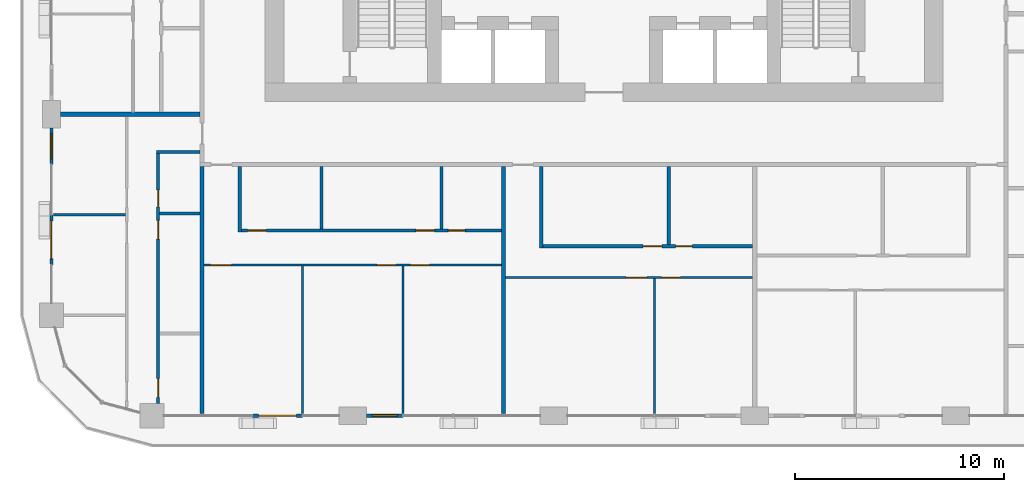
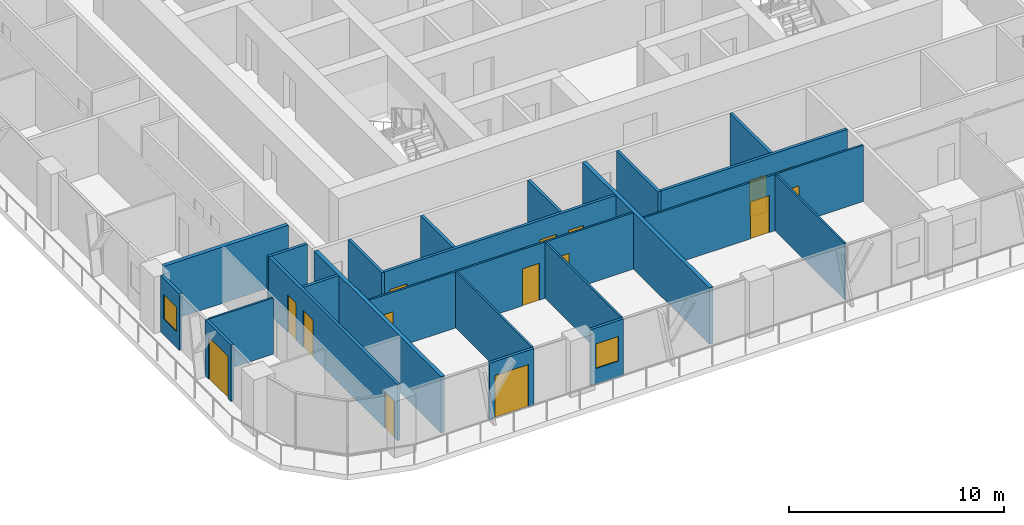
# One storey, part 9 of 22: 23 walls, 15 doors, 2 windows, 17 openings.
"""IFC4 building model written with IfcOpenShell, lengths in metres."""

from ifc_helpers import new_model, si_unit, direction, frame, frame_2d, origin, place, context, subcontext, project, spatial, rectangle, extrude, material, layer, layer_set, type_object, element, fill, save


model = new_model("IFC4")

# Units and contexts
model_context = context("Model", 3, precision=1e-05, world=origin(), true_north=direction((0.0, 1.0)))
body_context = subcontext(model_context, "Body", "Model", "MODEL_VIEW")
ifc_project = project(units=[si_unit("LENGTHUNIT", "METRE"), si_unit("AREAUNIT", "SQUARE_METRE"), si_unit("VOLUMEUNIT", "CUBIC_METRE"), si_unit("PLANEANGLEUNIT", "RADIAN"), si_unit("MASSUNIT", "GRAM", prefix="KILO")], contexts=[model_context])

# Site, building, storey
site_placement = place(None, origin())
site = spatial("IfcSite", under=ifc_project, at=site_placement, CompositionType="ELEMENT")
building_placement = place(site_placement, origin())
building = spatial("IfcBuilding", under=site, at=building_placement, Name="Madar Terraces", CompositionType="ELEMENT")
storey_placement = place(building_placement, frame((0.0, 0.0, 73.300048828125)))
storey = spatial("IfcBuildingStorey", under=building, at=storey_placement, Name="L18", CompositionType="ELEMENT", Elevation=73.300048828125)

# Wall, opening, door
ifc_material_1 = material(Name="Aluminium composite panel, black, over insulated backing", Category="aluminium")
ifc_layer_1 = layer(ifc_material_1, 0.14990234375)
ifc_layer_set_1 = layer_set([ifc_layer_1], Name="Facade bay panel 150")
wall_type_1 = type_object("IfcWallType", Name="Facade bay panel 150", PredefinedType="SOLIDWALL", material=ifc_layer_set_1)
wall_1_placement = place(storey_placement, frame((14.39990234375, 0.0, 0.0), z_axis=(0.0, 0.0, 1.0), x_axis=(1.0, 0.0, 0.0)))
wall_1 = element("IfcWall", 1, at=wall_1_placement, inside=storey, type_object=wall_type_1, Name="Facade bay panel", PredefinedType="SOLIDWALL", context=body_context, shape_type="SweptSolid", body=[
    extrude(rectangle(XDim=2.400146484375, YDim=0.14990234375, at=frame_2d((1.2001953125, 0.0))), origin(), (0.0, 0.0, 1.0), 3.199951171875),
])
opening_1_placement = place(wall_1_placement, frame((0.300048828125, 0.0, 0.0)))
opening_1 = element("IfcOpeningElement", 2, at=opening_1_placement, cuts=wall_1, Name="Opening ED1", PredefinedType="OPENING", context=body_context, shape_type="SweptSolid", body=[
    extrude(rectangle(XDim=1.800048828125, YDim=2.39990234375, at=frame_2d((0.89990234375, 1.199951171875))), frame((0.0, 0.0849609375, 0.0), z_axis=(0.0, -1.0, 0.0), x_axis=(1.0, 0.0, 0.0)), (0.0, 0.0, 1.0), 0.169921875),
])
ifc_material_2 = material(Name="Glass, clear, with black aluminium frame", Category="aluminium")
door_type_1 = type_object("IfcDoorType", Name="Balcony and terrace sliding door 1800 x 2400", OperationType="SLIDING_TO_LEFT", PredefinedType="DOOR", material=ifc_material_2)
door_1_placement = place(opening_1_placement, origin())
door_1 = element("IfcDoor", 3, at=door_1_placement, inside=storey, type_object=door_type_1, Name="Balcony door", OperationType="SLIDING_TO_LEFT", OverallHeight=2.39990234375, OverallWidth=1.800048828125, PredefinedType="DOOR", context=body_context, shape_type="SweptSolid", body=[
    extrude(rectangle(XDim=1.800048828125, YDim=2.39990234375, at=frame_2d((0.89990234375, 1.199951171875))), frame((0.0, 0.02490234375, 0.0), z_axis=(0.0, -1.0, 0.0), x_axis=(1.0, 0.0, 0.0)), (0.0, 0.0, 1.0), 0.050048828125),
])
fill(opening_1, door_1)

# Wall, opening, window
wall_2_placement = place(storey_placement, frame((19.85009765625, 0.0, 0.0), z_axis=(0.0, 0.0, 1.0), x_axis=(1.0, 0.0, 0.0)))
wall_2 = element("IfcWall", 4, at=wall_2_placement, inside=storey, type_object=wall_type_1, Name="Facade bay panel", PredefinedType="SOLIDWALL", context=body_context, shape_type="SweptSolid", body=[
    extrude(rectangle(XDim=1.75, YDim=0.14990234375, at=frame_2d((0.875, 0.0))), origin(), (0.0, 0.0, 1.0), 3.199951171875),
])
opening_2_placement = place(wall_2_placement, frame((0.27490234375, 0.0, 0.89990234375)))
opening_2 = element("IfcOpeningElement", 5, at=opening_2_placement, cuts=wall_2, Name="Opening W1", PredefinedType="OPENING", context=body_context, shape_type="SweptSolid", body=[
    extrude(rectangle(XDim=1.199951171875, YDim=1.39990234375, at=frame_2d((0.60009765625, 0.699951171875))), frame((0.0, 0.0849609375, 0.0), z_axis=(0.0, -1.0, 0.0), x_axis=(1.0, 0.0, 0.0)), (0.0, 0.0, 1.0), 0.169921875),
])
ifc_material_3 = material(Name="Glass, clear, with black aluminium frame", Category="aluminium")
window_type = type_object("IfcWindowType", Name="Vent window 1200 x 1400", PartitioningType="SINGLE_PANEL", PredefinedType="WINDOW", material=ifc_material_3)
window_1_placement = place(opening_2_placement, origin())
window_1 = element("IfcWindow", 6, at=window_1_placement, inside=storey, type_object=window_type, Name="Operable vent window", OverallHeight=1.39990234375, OverallWidth=1.199951171875, PartitioningType="SINGLE_PANEL", PredefinedType="WINDOW", context=body_context, shape_type="SweptSolid", body=[
    extrude(rectangle(XDim=1.199951171875, YDim=1.39990234375, at=frame_2d((0.60009765625, 0.699951171875))), frame((0.0, 0.030029296875, 0.0), z_axis=(0.0, -1.0, 0.0), x_axis=(1.0, 0.0, 0.0)), (0.0, 0.0, 1.0), 0.06005859375),
])
fill(opening_2, window_1)

wall_3_placement = place(storey_placement, frame((4.800048828125, 13.75, 0.0), z_axis=(0.0, 0.0, 1.0), x_axis=(0.0, -1.0, 0.0)))
wall_3 = element("IfcWall", 7, at=wall_3_placement, inside=storey, type_object=wall_type_1, Name="Facade bay panel", PredefinedType="SOLIDWALL", context=body_context, shape_type="SweptSolid", body=[
    extrude(rectangle(XDim=1.75, YDim=0.14990234375, at=frame_2d((0.875, 0.0))), origin(), (0.0, 0.0, 1.0), 3.199951171875),
])
opening_3_placement = place(wall_3_placement, frame((0.27490234375, 0.0, 0.89990234375)))
opening_3 = element("IfcOpeningElement", 8, at=opening_3_placement, cuts=wall_3, Name="Opening W1", PredefinedType="OPENING", context=body_context, shape_type="SweptSolid", body=[
    extrude(rectangle(XDim=1.199951171875, YDim=1.39990234375, at=frame_2d((0.60009765625, 0.699951171875))), frame((0.0, 0.0849609375, 0.0), z_axis=(0.0, -1.0, 0.0), x_axis=(1.0, 0.0, 0.0)), (0.0, 0.0, 1.0), 0.169921875),
])
window_2_placement = place(opening_3_placement, origin())
window_2 = element("IfcWindow", 9, at=window_2_placement, inside=storey, type_object=window_type, Name="Operable vent window", OverallHeight=1.39990234375, OverallWidth=1.199951171875, PartitioningType="SINGLE_PANEL", PredefinedType="WINDOW", context=body_context, shape_type="SweptSolid", body=[
    extrude(rectangle(XDim=1.199951171875, YDim=1.39990234375, at=frame_2d((0.60009765625, 0.699951171875))), frame((0.0, 0.030029296875, 0.0), z_axis=(0.0, -1.0, 0.0), x_axis=(1.0, 0.0, 0.0)), (0.0, 0.0, 1.0), 0.06005859375),
])
fill(opening_3, window_2)

# Wall, opening, door
wall_4_placement = place(storey_placement, frame((4.800048828125, 9.60009765625, 0.0), z_axis=(0.0, 0.0, 1.0), x_axis=(0.0, -1.0, 0.0)))
wall_4 = element("IfcWall", 10, at=wall_4_placement, inside=storey, type_object=wall_type_1, Name="Facade bay panel", PredefinedType="SOLIDWALL", context=body_context, shape_type="SweptSolid", body=[
    extrude(rectangle(XDim=2.400146484375, YDim=0.14990234375, at=frame_2d((1.2001953125, 0.0))), origin(), (0.0, 0.0, 1.0), 3.199951171875),
])
opening_4_placement = place(wall_4_placement, frame((0.300048828125, 0.0, 0.0)))
opening_4 = element("IfcOpeningElement", 11, at=opening_4_placement, cuts=wall_4, Name="Opening ED1", PredefinedType="OPENING", context=body_context, shape_type="SweptSolid", body=[
    extrude(rectangle(XDim=1.800048828125, YDim=2.39990234375, at=frame_2d((0.89990234375, 1.199951171875))), frame((0.0, 0.0849609375, 0.0), z_axis=(0.0, -1.0, 0.0), x_axis=(1.0, 0.0, 0.0)), (0.0, 0.0, 1.0), 0.169921875),
])
door_2_placement = place(opening_4_placement, origin())
door_2 = element("IfcDoor", 12, at=door_2_placement, inside=storey, type_object=door_type_1, Name="Balcony door", OperationType="SLIDING_TO_LEFT", OverallHeight=2.39990234375, OverallWidth=1.800048828125, PredefinedType="DOOR", context=body_context, shape_type="SweptSolid", body=[
    extrude(rectangle(XDim=1.800048828125, YDim=2.39990234375, at=frame_2d((0.89990234375, 1.199951171875))), frame((0.0, 0.02490234375, 0.0), z_axis=(0.0, -1.0, 0.0), x_axis=(1.0, 0.0, 0.0)), (0.0, 0.0, 1.0), 0.050048828125),
])
fill(opening_4, door_2)

# Walls
ifc_material_4 = material(Name="Gypsum board on steel studs", Category="steel")
ifc_layer_2 = layer(ifc_material_4, 0.10009765625)
ifc_layer_set_2 = layer_set([ifc_layer_2], Name="Flat partition 100")
wall_type_2 = type_object("IfcWallType", Name="Flat partition 100", PredefinedType="PARTITIONING", material=ifc_layer_set_2)
for number, where, z_axis, x_axis, name in (
    (13, (16.800048828125, 7.14990234375, 0.0), (0.0, 0.0, 1.0), (0.0, -1.0, 0.0), "Flat partition 100"),
    (14, (21.60009765625, 7.14990234375, 0.0), (0.0, 0.0, 1.0), (0.0, -1.0, 0.0), "Flat partition 100"),
):
    element("IfcWall", number, at=place(storey_placement, frame(where, z_axis=z_axis, x_axis=x_axis)), inside=storey, type_object=wall_type_2, Name=name, PredefinedType="PARTITIONING", context=body_context, shape_type="SweptSolid", body=[
        extrude(rectangle(XDim=7.0498046875, YDim=0.10009765625, at=frame_2d((3.52490234375, 0.0))), origin(), (0.0, 0.0, 1.0), 3.199951171875),
    ])

# Wall, openings, doors
wall_5_placement = place(storey_placement, frame((26.300048828125, 7.199951171875, 0.0), z_axis=(0.0, 0.0, 1.0), x_axis=(-1.0, 0.0, 0.0)))
wall_5 = element("IfcWall", 15, at=wall_5_placement, inside=storey, type_object=wall_type_2, Name="Flat partition 100", PredefinedType="PARTITIONING", context=body_context, shape_type="SweptSolid", body=[
    extrude(rectangle(XDim=14.199951171875, YDim=0.10009765625, at=frame_2d((7.10009765625, 0.0))), origin(), (0.0, 0.0, 1.0), 3.199951171875),
])
opening_5_placement = place(wall_5_placement, frame((12.89990234375, 0.0, 0.0)))
opening_5 = element("IfcOpeningElement", 16, at=opening_5_placement, cuts=wall_5, Name="Opening D3", PredefinedType="OPENING", context=body_context, shape_type="SweptSolid", body=[
    extrude(rectangle(XDim=1.0, YDim=2.10009765625, at=frame_2d((0.5, 1.050048828125))), frame((0.0, 0.06005859375, 0.0), z_axis=(0.0, -1.0, 0.0), x_axis=(1.0, 0.0, 0.0)), (0.0, 0.0, 1.0), 0.1201171875),
])
opening_6_placement = place(wall_5_placement, frame((5.050048828125, 0.0, 0.0)))
opening_6 = element("IfcOpeningElement", 17, at=opening_6_placement, cuts=wall_5, Name="Opening D2", PredefinedType="OPENING", context=body_context, shape_type="SweptSolid", body=[
    extrude(rectangle(XDim=0.89990234375, YDim=2.10009765625, at=frame_2d((0.449951171875, 1.050048828125))), frame((0.0, 0.06005859375, 0.0), z_axis=(0.0, -1.0, 0.0), x_axis=(1.0, 0.0, 0.0)), (0.0, 0.0, 1.0), 0.1201171875),
])
opening_7_placement = place(wall_5_placement, frame((3.449951171875, 0.0, 0.0)))
opening_7 = element("IfcOpeningElement", 18, at=opening_7_placement, cuts=wall_5, Name="Opening D2", PredefinedType="OPENING", context=body_context, shape_type="SweptSolid", body=[
    extrude(rectangle(XDim=0.89990234375, YDim=2.10009765625, at=frame_2d((0.449951171875, 1.050048828125))), frame((0.0, 0.06005859375, 0.0), z_axis=(0.0, -1.0, 0.0), x_axis=(1.0, 0.0, 0.0)), (0.0, 0.0, 1.0), 0.1201171875),
])
ifc_material_5 = material(Name="Timber door leaf", Category="wood")
door_type_2 = type_object("IfcDoorType", Name="Flat living room door 1000", OperationType="NOTDEFINED", PredefinedType="DOOR", material=ifc_material_5)
door_3_placement = place(opening_5_placement, origin())
door_3 = element("IfcDoor", 19, at=door_3_placement, inside=storey, type_object=door_type_2, Name="Flat living room door 1000", OperationType="SINGLE_SWING_RIGHT", OverallHeight=2.10009765625, OverallWidth=1.0, PredefinedType="DOOR", context=body_context, shape_type="SweptSolid", body=[
    extrude(rectangle(XDim=1.0, YDim=2.10009765625, at=frame_2d((0.5, 1.050048828125))), frame((0.0, 0.02490234375, 0.0), z_axis=(0.0, -1.0, 0.0), x_axis=(1.0, 0.0, 0.0)), (0.0, 0.0, 1.0), 0.050048828125),
])
fill(opening_5, door_3)
ifc_material_6 = material(Name="Timber door leaf", Category="wood")
door_type_3 = type_object("IfcDoorType", Name="Flat room door 900", OperationType="NOTDEFINED", PredefinedType="DOOR", material=ifc_material_6)
door_4_placement = place(opening_6_placement, origin())
door_4 = element("IfcDoor", 20, at=door_4_placement, inside=storey, type_object=door_type_3, Name="Flat room door 900", OperationType="SINGLE_SWING_LEFT", OverallHeight=2.10009765625, OverallWidth=0.89990234375, PredefinedType="DOOR", context=body_context, shape_type="SweptSolid", body=[
    extrude(rectangle(XDim=0.89990234375, YDim=2.10009765625, at=frame_2d((0.449951171875, 1.050048828125))), frame((0.0, 0.02490234375, 0.0), z_axis=(0.0, -1.0, 0.0), x_axis=(1.0, 0.0, 0.0)), (0.0, 0.0, 1.0), 0.050048828125),
])
fill(opening_6, door_4)
door_5_placement = place(opening_7_placement, origin())
door_5 = element("IfcDoor", 21, at=door_5_placement, inside=storey, type_object=door_type_3, Name="Flat room door 900", OperationType="SINGLE_SWING_RIGHT", OverallHeight=2.10009765625, OverallWidth=0.89990234375, PredefinedType="DOOR", context=body_context, shape_type="SweptSolid", body=[
    extrude(rectangle(XDim=0.89990234375, YDim=2.10009765625, at=frame_2d((0.449951171875, 1.050048828125))), frame((0.0, 0.02490234375, 0.0), z_axis=(0.0, -1.0, 0.0), x_axis=(1.0, 0.0, 0.0)), (0.0, 0.0, 1.0), 0.050048828125),
])
fill(opening_7, door_5)

# Wall
wall_6_placement = place(storey_placement, frame((33.60009765625, 6.550048828125, 0.0), z_axis=(0.0, 0.0, 1.0), x_axis=(0.0, -1.0, 0.0)))
element("IfcWall", 22, at=wall_6_placement, inside=storey, type_object=wall_type_2, Name="Flat partition 100", PredefinedType="PARTITIONING", context=body_context, shape_type="SweptSolid", body=[
    extrude(rectangle(XDim=6.449951171875, YDim=0.10009765625, at=frame_2d((3.22509765625, 0.0))), origin(), (0.0, 0.0, 1.0), 3.199951171875),
])

# Wall, openings, doors
wall_7_placement = place(storey_placement, frame((38.300048828125, 6.60009765625, 0.0), z_axis=(0.0, 0.0, 1.0), x_axis=(-1.0, 0.0, 0.0)))
wall_7 = element("IfcWall", 23, at=wall_7_placement, inside=storey, type_object=wall_type_2, Name="Flat partition 100", PredefinedType="PARTITIONING", context=body_context, shape_type="SweptSolid", body=[
    extrude(rectangle(XDim=11.800048828125, YDim=0.10009765625, at=frame_2d((5.89990234375, 0.0))), origin(), (0.0, 0.0, 1.0), 3.199951171875),
])
opening_8_placement = place(wall_7_placement, frame((5.050048828125, 0.0, 0.0)))
opening_8 = element("IfcOpeningElement", 24, at=opening_8_placement, cuts=wall_7, Name="Opening D3", PredefinedType="OPENING", context=body_context, shape_type="SweptSolid", body=[
    extrude(rectangle(XDim=1.0, YDim=2.10009765625, at=frame_2d((0.5, 1.050048828125))), frame((0.0, 0.06005859375, 0.0), z_axis=(0.0, -1.0, 0.0), x_axis=(1.0, 0.0, 0.0)), (0.0, 0.0, 1.0), 0.1201171875),
])
opening_9_placement = place(wall_7_placement, frame((3.449951171875, 0.0, 0.0)))
opening_9 = element("IfcOpeningElement", 25, at=opening_9_placement, cuts=wall_7, Name="Opening D2", PredefinedType="OPENING", context=body_context, shape_type="SweptSolid", body=[
    extrude(rectangle(XDim=0.89990234375, YDim=2.10009765625, at=frame_2d((0.449951171875, 1.050048828125))), frame((0.0, 0.06005859375, 0.0), z_axis=(0.0, -1.0, 0.0), x_axis=(1.0, 0.0, 0.0)), (0.0, 0.0, 1.0), 0.1201171875),
])
door_6_placement = place(opening_8_placement, origin())
door_6 = element("IfcDoor", 26, at=door_6_placement, inside=storey, type_object=door_type_2, Name="Flat living room door 1000", OperationType="SINGLE_SWING_LEFT", OverallHeight=2.10009765625, OverallWidth=1.0, PredefinedType="DOOR", context=body_context, shape_type="SweptSolid", body=[
    extrude(rectangle(XDim=1.0, YDim=2.10009765625, at=frame_2d((0.5, 1.050048828125))), frame((0.0, 0.02490234375, 0.0), z_axis=(0.0, -1.0, 0.0), x_axis=(1.0, 0.0, 0.0)), (0.0, 0.0, 1.0), 0.050048828125),
])
fill(opening_8, door_6)
door_7_placement = place(opening_9_placement, origin())
door_7 = element("IfcDoor", 27, at=door_7_placement, inside=storey, type_object=door_type_3, Name="Flat room door 900", OperationType="SINGLE_SWING_RIGHT", OverallHeight=2.10009765625, OverallWidth=0.89990234375, PredefinedType="DOOR", context=body_context, shape_type="SweptSolid", body=[
    extrude(rectangle(XDim=0.89990234375, YDim=2.10009765625, at=frame_2d((0.449951171875, 1.050048828125))), frame((0.0, 0.02490234375, 0.0), z_axis=(0.0, -1.0, 0.0), x_axis=(1.0, 0.0, 0.0)), (0.0, 0.0, 1.0), 0.050048828125),
])
fill(opening_9, door_7)

# Walls
wall_8_placement = place(storey_placement, frame((8.35009765625, 9.60009765625, 0.0), z_axis=(0.0, 0.0, 1.0), x_axis=(-1.0, 0.0, 0.0)))
element("IfcWall", 28, at=wall_8_placement, inside=storey, type_object=wall_type_2, Name="Flat partition 100", PredefinedType="PARTITIONING", context=body_context, shape_type="SweptSolid", body=[
    extrude(rectangle(XDim=3.4501953125, YDim=0.10009765625, at=frame_2d((1.72509765625, 0.0))), origin(), (0.0, 0.0, 1.0), 3.199951171875),
])
ifc_material_7 = material(Name="Lightweight blockwork", Category="masonry")
ifc_layer_3 = layer(ifc_material_7, 0.199951171875)
ifc_layer_set_3 = layer_set([ifc_layer_3], Name="Flat party and entrance wall 200")
wall_type_3 = type_object("IfcWallType", Name="Flat party and entrance wall 200", PredefinedType="PARTITIONING", material=ifc_layer_set_3)
for number, where, z_axis, x_axis, name in (
    (29, (26.39990234375, 11.89990234375, 0.0), (0.0, 0.0, 1.0), (0.0, -1.0, 0.0), "Flat party and entrance wall 200"),
    (30, (12.0, 0.10009765625, 0.0), (0.0, 0.0, 1.0), (0.0, 1.0, 0.0), "Flat party and entrance wall 200"),
):
    element("IfcWall", number, at=place(storey_placement, frame(where, z_axis=z_axis, x_axis=x_axis)), inside=storey, type_object=wall_type_3, Name=name, PredefinedType="PARTITIONING", context=body_context, shape_type="SweptSolid", body=[
        extrude(rectangle(XDim=11.7998046875, YDim=0.199951171875, at=frame_2d((5.89990234375, 0.0))), origin(), (0.0, 0.0, 1.0), 3.199951171875),
    ])
wall_9_placement = place(storey_placement, frame((5.22509765625, 14.39990234375, 0.0), z_axis=(0.0, 0.0, 1.0), x_axis=(1.0, 0.0, 0.0)))
element("IfcWall", 31, at=wall_9_placement, inside=storey, type_object=wall_type_3, Name="Flat party and entrance wall 200", PredefinedType="PARTITIONING", context=body_context, shape_type="SweptSolid", body=[
    extrude(rectangle(XDim=6.6748046875, YDim=0.199951171875, at=frame_2d((3.33740234375, 0.0))), origin(), (0.0, 0.0, 1.0), 3.199951171875),
])
ifc_material_8 = material(Name="Lightweight blockwork", Category="masonry")
ifc_layer_4 = layer(ifc_material_8, 0.14990234375)
ifc_layer_set_4 = layer_set([ifc_layer_4], Name="Flat wet-room partition 150")
wall_type_4 = type_object("IfcWallType", Name="Flat wet-room partition 150", PredefinedType="PARTITIONING", material=ifc_layer_set_4)
for number, where, z_axis, x_axis, name in (
    (32, (17.697998046875, 11.89990234375, 0.0), (0.0, 0.0, 1.0), (0.0, -1.0, 0.0), "Flat wet-room partition 150"),
    (33, (23.4326171875, 11.89990234375, 0.0), (0.0, 0.0, 1.0), (0.0, -1.0, 0.0), "Flat wet-room partition 150"),
):
    element("IfcWall", number, at=place(storey_placement, frame(where, z_axis=z_axis, x_axis=x_axis)), inside=storey, type_object=wall_type_4, Name=name, PredefinedType="PARTITIONING", context=body_context, shape_type="SweptSolid", body=[
        extrude(rectangle(XDim=2.974853515625, YDim=0.14990234375, at=frame_2d((1.4873046875, 0.0))), origin(), (0.0, 0.0, 1.0), 3.199951171875),
    ])
wall_10_placement = place(storey_placement, frame((13.800048828125, 11.89990234375, 0.0), z_axis=(0.0, 0.0, 1.0), x_axis=(0.0, -1.0, 0.0)))
element("IfcWall", 34, at=wall_10_placement, inside=storey, type_object=wall_type_4, Name="Flat wet-room partition 150", PredefinedType="PARTITIONING", context=body_context, shape_type="SweptSolid", body=[
    extrude(rectangle(XDim=3.125, YDim=0.14990234375, at=frame_2d((1.5625, 0.0))), origin(), (0.0, 0.0, 1.0), 3.199951171875),
])

# Wall, openings, doors
wall_11_placement = place(storey_placement, frame((13.875, 8.85009765625, 0.0), z_axis=(0.0, 0.0, 1.0), x_axis=(1.0, 0.0, 0.0)))
wall_11 = element("IfcWall", 35, at=wall_11_placement, inside=storey, type_object=wall_type_4, Name="Flat wet-room partition 150", PredefinedType="PARTITIONING", context=body_context, shape_type="SweptSolid", body=[
    extrude(rectangle(XDim=12.425048828125, YDim=0.14990234375, at=frame_2d((6.21240234375, 0.0))), origin(), (0.0, 0.0, 1.0), 3.199951171875),
])
opening_10_placement = place(wall_11_placement, frame((0.300048828125, 0.0, 0.0)))
opening_10 = element("IfcOpeningElement", 36, at=opening_10_placement, cuts=wall_11, Name="Opening D5", PredefinedType="OPENING", context=body_context, shape_type="SweptSolid", body=[
    extrude(rectangle(XDim=0.89990234375, YDim=2.10009765625, at=frame_2d((0.449951171875, 1.050048828125))), frame((0.0, 0.0849609375, 0.0), z_axis=(0.0, -1.0, 0.0), x_axis=(1.0, 0.0, 0.0)), (0.0, 0.0, 1.0), 0.169921875),
])
opening_11_placement = place(wall_11_placement, frame((8.332763671875, 0.0, 0.0)))
opening_11 = element("IfcOpeningElement", 37, at=opening_11_placement, cuts=wall_11, Name="Opening D2", PredefinedType="OPENING", context=body_context, shape_type="SweptSolid", body=[
    extrude(rectangle(XDim=0.89990234375, YDim=2.10009765625, at=frame_2d((0.449951171875, 1.050048828125))), frame((0.0, 0.0849609375, 0.0), z_axis=(0.0, -1.0, 0.0), x_axis=(1.0, 0.0, 0.0)), (0.0, 0.0, 1.0), 0.169921875),
])
opening_12_placement = place(wall_11_placement, frame((9.8828125, 0.0, 0.0)))
opening_12 = element("IfcOpeningElement", 38, at=opening_12_placement, cuts=wall_11, Name="Opening D4", PredefinedType="OPENING", context=body_context, shape_type="SweptSolid", body=[
    extrude(rectangle(XDim=0.800048828125, YDim=2.10009765625, at=frame_2d((0.39990234375, 1.050048828125))), frame((0.0, 0.0849609375, 0.0), z_axis=(0.0, -1.0, 0.0), x_axis=(1.0, 0.0, 0.0)), (0.0, 0.0, 1.0), 0.169921875),
])
ifc_material_9 = material(Name="Timber door leaf", Category="wood")
door_type_4 = type_object("IfcDoorType", Name="Flat accessible bathroom door 900", OperationType="NOTDEFINED", PredefinedType="DOOR", material=ifc_material_9)
door_8_placement = place(opening_10_placement, origin())
door_8 = element("IfcDoor", 39, at=door_8_placement, inside=storey, type_object=door_type_4, Name="Flat accessible bathroom door 900", OperationType="SINGLE_SWING_LEFT", OverallHeight=2.10009765625, OverallWidth=0.89990234375, PredefinedType="DOOR", context=body_context, shape_type="SweptSolid", body=[
    extrude(rectangle(XDim=0.89990234375, YDim=2.10009765625, at=frame_2d((0.449951171875, 1.050048828125))), frame((0.0, 0.02490234375, 0.0), z_axis=(0.0, -1.0, 0.0), x_axis=(1.0, 0.0, 0.0)), (0.0, 0.0, 1.0), 0.050048828125),
])
fill(opening_10, door_8)
ifc_material_10 = material(Name="Timber door leaf", Category="wood")
door_type_5 = type_object("IfcDoorType", Name="Flat bathroom door 800", OperationType="NOTDEFINED", PredefinedType="DOOR", material=ifc_material_10)
door_9_placement = place(opening_12_placement, origin())
door_9 = element("IfcDoor", 40, at=door_9_placement, inside=storey, type_object=door_type_5, Name="Flat bathroom door 800", OperationType="SINGLE_SWING_LEFT", OverallHeight=2.10009765625, OverallWidth=0.800048828125, PredefinedType="DOOR", context=body_context, shape_type="SweptSolid", body=[
    extrude(rectangle(XDim=0.800048828125, YDim=2.10009765625, at=frame_2d((0.39990234375, 1.050048828125))), frame((0.0, 0.02490234375, 0.0), z_axis=(0.0, -1.0, 0.0), x_axis=(1.0, 0.0, 0.0)), (0.0, 0.0, 1.0), 0.050048828125),
])
fill(opening_12, door_9)
door_10_placement = place(opening_11_placement, origin())
door_10 = element("IfcDoor", 41, at=door_10_placement, inside=storey, type_object=door_type_3, Name="Flat room door 900", OperationType="SINGLE_SWING_RIGHT", OverallHeight=2.10009765625, OverallWidth=0.89990234375, PredefinedType="DOOR", context=body_context, shape_type="SweptSolid", body=[
    extrude(rectangle(XDim=0.89990234375, YDim=2.10009765625, at=frame_2d((0.449951171875, 1.050048828125))), frame((0.0, 0.02490234375, 0.0), z_axis=(0.0, -1.0, 0.0), x_axis=(1.0, 0.0, 0.0)), (0.0, 0.0, 1.0), 0.050048828125),
])
fill(opening_11, door_10)

# Walls
wall_12_placement = place(storey_placement, frame((34.2900390625, 11.89990234375, 0.0), z_axis=(0.0, 0.0, 1.0), x_axis=(0.0, -1.0, 0.0)))
element("IfcWall", 42, at=wall_12_placement, inside=storey, type_object=wall_type_4, Name="Flat wet-room partition 150", PredefinedType="PARTITIONING", context=body_context, shape_type="SweptSolid", body=[
    extrude(rectangle(XDim=3.724853515625, YDim=0.14990234375, at=frame_2d((1.8623046875, 0.0))), origin(), (0.0, 0.0, 1.0), 3.199951171875),
])
wall_13_placement = place(storey_placement, frame((28.199951171875, 11.89990234375, 0.0), z_axis=(0.0, 0.0, 1.0), x_axis=(0.0, -1.0, 0.0)))
element("IfcWall", 43, at=wall_13_placement, inside=storey, type_object=wall_type_4, Name="Flat wet-room partition 150", PredefinedType="PARTITIONING", context=body_context, shape_type="SweptSolid", body=[
    extrude(rectangle(XDim=3.875, YDim=0.14990234375, at=frame_2d((1.9375, 0.0))), origin(), (0.0, 0.0, 1.0), 3.199951171875),
])

# Wall, openings, doors
wall_14_placement = place(storey_placement, frame((28.27490234375, 8.10009765625, 0.0), z_axis=(0.0, 0.0, 1.0), x_axis=(1.0, 0.0, 0.0)))
wall_14 = element("IfcWall", 44, at=wall_14_placement, inside=storey, type_object=wall_type_4, Name="Flat wet-room partition 150", PredefinedType="PARTITIONING", context=body_context, shape_type="SweptSolid", body=[
    extrude(rectangle(XDim=10.025146484375, YDim=0.14990234375, at=frame_2d((5.0126953125, 0.0))), origin(), (0.0, 0.0, 1.0), 3.199951171875),
])
opening_13_placement = place(wall_14_placement, frame((4.7900390625, 0.0, 0.0)))
opening_13 = element("IfcOpeningElement", 45, at=opening_13_placement, cuts=wall_14, Name="Opening D2", PredefinedType="OPENING", context=body_context, shape_type="SweptSolid", body=[
    extrude(rectangle(XDim=0.89990234375, YDim=2.10009765625, at=frame_2d((0.449951171875, 1.050048828125))), frame((0.0, 0.0849609375, 0.0), z_axis=(0.0, -1.0, 0.0), x_axis=(1.0, 0.0, 0.0)), (0.0, 0.0, 1.0), 0.169921875),
])
opening_14_placement = place(wall_14_placement, frame((6.340087890625, 0.0, 0.0)))
opening_14 = element("IfcOpeningElement", 46, at=opening_14_placement, cuts=wall_14, Name="Opening D4", PredefinedType="OPENING", context=body_context, shape_type="SweptSolid", body=[
    extrude(rectangle(XDim=0.800048828125, YDim=2.10009765625, at=frame_2d((0.39990234375, 1.050048828125))), frame((0.0, 0.0849609375, 0.0), z_axis=(0.0, -1.0, 0.0), x_axis=(1.0, 0.0, 0.0)), (0.0, 0.0, 1.0), 0.169921875),
])
door_11_placement = place(opening_14_placement, origin())
door_11 = element("IfcDoor", 47, at=door_11_placement, inside=storey, type_object=door_type_5, Name="Flat bathroom door 800", OperationType="SINGLE_SWING_LEFT", OverallHeight=2.10009765625, OverallWidth=0.800048828125, PredefinedType="DOOR", context=body_context, shape_type="SweptSolid", body=[
    extrude(rectangle(XDim=0.800048828125, YDim=2.10009765625, at=frame_2d((0.39990234375, 1.050048828125))), frame((0.0, 0.02490234375, 0.0), z_axis=(0.0, -1.0, 0.0), x_axis=(1.0, 0.0, 0.0)), (0.0, 0.0, 1.0), 0.050048828125),
])
fill(opening_14, door_11)
door_12_placement = place(opening_13_placement, origin())
door_12 = element("IfcDoor", 48, at=door_12_placement, inside=storey, type_object=door_type_3, Name="Flat room door 900", OperationType="SINGLE_SWING_RIGHT", OverallHeight=2.10009765625, OverallWidth=0.89990234375, PredefinedType="DOOR", context=body_context, shape_type="SweptSolid", body=[
    extrude(rectangle(XDim=0.89990234375, YDim=2.10009765625, at=frame_2d((0.449951171875, 1.050048828125))), frame((0.0, 0.02490234375, 0.0), z_axis=(0.0, -1.0, 0.0), x_axis=(1.0, 0.0, 0.0)), (0.0, 0.0, 1.0), 0.050048828125),
])
fill(opening_13, door_12)

# Walls
wall_15_placement = place(storey_placement, frame((11.89990234375, 9.65771484375, 0.0), z_axis=(0.0, 0.0, 1.0), x_axis=(-1.0, 0.0, 0.0)))
element("IfcWall", 49, at=wall_15_placement, inside=storey, type_object=wall_type_4, Name="Flat wet-room partition 150", PredefinedType="PARTITIONING", context=body_context, shape_type="SweptSolid", body=[
    extrude(rectangle(XDim=1.9248046875, YDim=0.14990234375, at=frame_2d((0.96240234375, 0.0))), origin(), (0.0, 0.0, 1.0), 3.199951171875),
])
wall_16_placement = place(storey_placement, frame((11.89990234375, 12.60009765625, 0.0), z_axis=(0.0, 0.0, 1.0), x_axis=(-1.0, 0.0, 0.0)))
element("IfcWall", 50, at=wall_16_placement, inside=storey, type_object=wall_type_4, Name="Flat wet-room partition 150", PredefinedType="PARTITIONING", context=body_context, shape_type="SweptSolid", body=[
    extrude(rectangle(XDim=2.074951171875, YDim=0.14990234375, at=frame_2d((1.03759765625, 0.0))), origin(), (0.0, 0.0, 1.0), 3.199951171875),
])

# Wall, openings, doors
wall_17_placement = place(storey_placement, frame((9.89990234375, 12.52490234375, 0.0), z_axis=(0.0, 0.0, 1.0), x_axis=(0.0, -1.0, 0.0)))
wall_17 = element("IfcWall", 51, at=wall_17_placement, inside=storey, type_object=wall_type_4, Name="Flat wet-room partition 150", PredefinedType="PARTITIONING", context=body_context, shape_type="SweptSolid", body=[
    extrude(rectangle(XDim=11.949951171875, YDim=0.14990234375, at=frame_2d((5.97509765625, 0.0))), origin(), (0.0, 0.0, 1.0), 3.199951171875),
])
opening_15_placement = place(wall_17_placement, frame((1.7421875, 0.0, 0.0)))
opening_15 = element("IfcOpeningElement", 52, at=opening_15_placement, cuts=wall_17, Name="Opening D4", PredefinedType="OPENING", context=body_context, shape_type="SweptSolid", body=[
    extrude(rectangle(XDim=0.800048828125, YDim=2.10009765625, at=frame_2d((0.39990234375, 1.050048828125))), frame((0.0, 0.0849609375, 0.0), z_axis=(0.0, -1.0, 0.0), x_axis=(1.0, 0.0, 0.0)), (0.0, 0.0, 1.0), 0.169921875),
])
opening_16_placement = place(wall_17_placement, frame((3.1923828125, 0.0, 0.0)))
opening_16 = element("IfcOpeningElement", 53, at=opening_16_placement, cuts=wall_17, Name="Opening D2", PredefinedType="OPENING", context=body_context, shape_type="SweptSolid", body=[
    extrude(rectangle(XDim=0.89990234375, YDim=2.10009765625, at=frame_2d((0.449951171875, 1.050048828125))), frame((0.0, 0.0849609375, 0.0), z_axis=(0.0, -1.0, 0.0), x_axis=(1.0, 0.0, 0.0)), (0.0, 0.0, 1.0), 0.169921875),
])
opening_17_placement = place(wall_17_placement, frame((10.75, 0.0, 0.0)))
opening_17 = element("IfcOpeningElement", 54, at=opening_17_placement, cuts=wall_17, Name="Opening D5", PredefinedType="OPENING", context=body_context, shape_type="SweptSolid", body=[
    extrude(rectangle(XDim=0.89990234375, YDim=2.10009765625, at=frame_2d((0.449951171875, 1.050048828125))), frame((0.0, 0.0849609375, 0.0), z_axis=(0.0, -1.0, 0.0), x_axis=(1.0, 0.0, 0.0)), (0.0, 0.0, 1.0), 0.169921875),
])
door_13_placement = place(opening_17_placement, origin())
door_13 = element("IfcDoor", 55, at=door_13_placement, inside=storey, type_object=door_type_4, Name="Flat accessible bathroom door 900", OperationType="SINGLE_SWING_RIGHT", OverallHeight=2.10009765625, OverallWidth=0.89990234375, PredefinedType="DOOR", context=body_context, shape_type="SweptSolid", body=[
    extrude(rectangle(XDim=0.89990234375, YDim=2.10009765625, at=frame_2d((0.449951171875, 1.050048828125))), frame((0.0, 0.02490234375, 0.0), z_axis=(0.0, -1.0, 0.0), x_axis=(1.0, 0.0, 0.0)), (0.0, 0.0, 1.0), 0.050048828125),
])
fill(opening_17, door_13)
door_14_placement = place(opening_15_placement, origin())
door_14 = element("IfcDoor", 56, at=door_14_placement, inside=storey, type_object=door_type_5, Name="Flat bathroom door 800", OperationType="SINGLE_SWING_RIGHT", OverallHeight=2.10009765625, OverallWidth=0.800048828125, PredefinedType="DOOR", context=body_context, shape_type="SweptSolid", body=[
    extrude(rectangle(XDim=0.800048828125, YDim=2.10009765625, at=frame_2d((0.39990234375, 1.050048828125))), frame((0.0, 0.02490234375, 0.0), z_axis=(0.0, -1.0, 0.0), x_axis=(1.0, 0.0, 0.0)), (0.0, 0.0, 1.0), 0.050048828125),
])
fill(opening_15, door_14)
door_15_placement = place(opening_16_placement, origin())
door_15 = element("IfcDoor", 57, at=door_15_placement, inside=storey, type_object=door_type_3, Name="Flat room door 900", OperationType="SINGLE_SWING_LEFT", OverallHeight=2.10009765625, OverallWidth=0.89990234375, PredefinedType="DOOR", context=body_context, shape_type="SweptSolid", body=[
    extrude(rectangle(XDim=0.89990234375, YDim=2.10009765625, at=frame_2d((0.449951171875, 1.050048828125))), frame((0.0, 0.02490234375, 0.0), z_axis=(0.0, -1.0, 0.0), x_axis=(1.0, 0.0, 0.0)), (0.0, 0.0, 1.0), 0.050048828125),
])
fill(opening_16, door_15)

save(model, "model.ifc")
